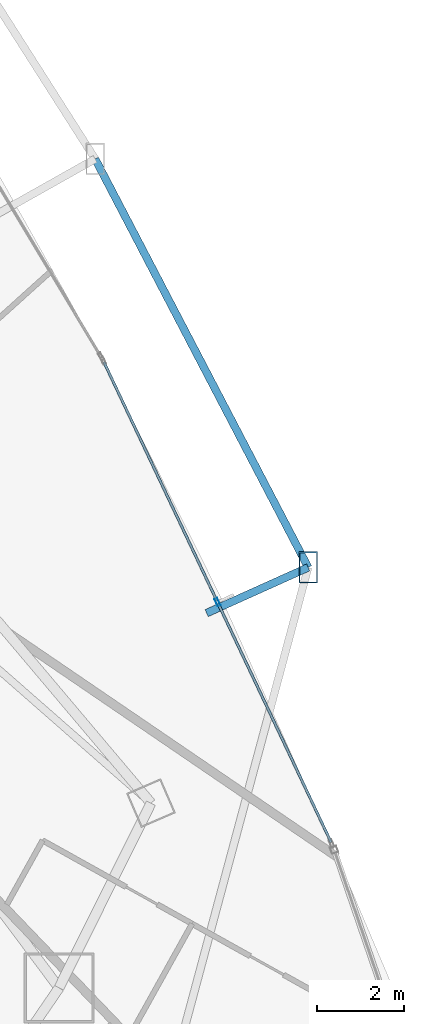
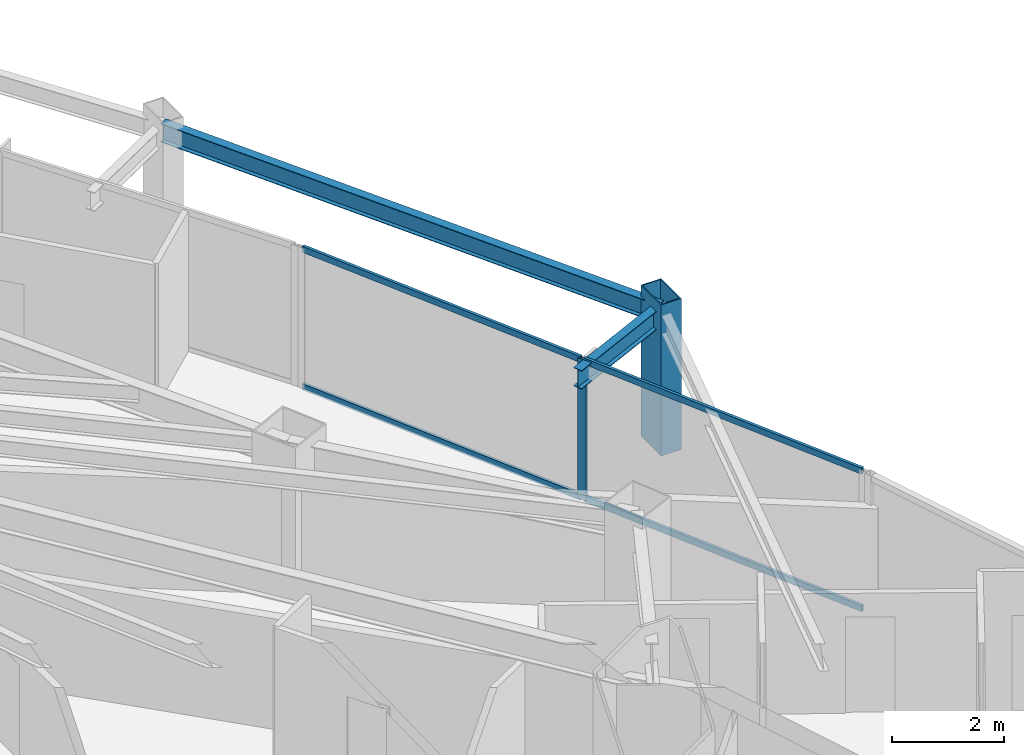
# One storey, part 19 of 34: 6 members, 2 beams, 1 element without a shape of its own.
"""IFC4 building model written with IfcOpenShell, lengths in metres."""

from ifc_helpers import new_model, si_unit, direction, frame, origin, origin_2d, place, context, subcontext, project, spatial, hollow_rectangle, i_section, extrude, material, layer, layer_set, material_profile, profile_set, type_object, element, aggregate, save


model = new_model("IFC4")

# Units and contexts
model_context = context("Model", 3, precision=1e-05, world=origin(), true_north=direction((0.0, 1.0)))
body_context = subcontext(model_context, "Body", "Model", "MODEL_VIEW")
ifc_project = project(units=[si_unit("LENGTHUNIT", "METRE"), si_unit("AREAUNIT", "SQUARE_METRE"), si_unit("VOLUMEUNIT", "CUBIC_METRE"), si_unit("PLANEANGLEUNIT", "RADIAN"), si_unit("MASSUNIT", "GRAM", prefix="KILO")], contexts=[model_context])

# Site, building, storey
site_placement = place(None, origin())
site = spatial("IfcSite", under=ifc_project, at=site_placement, CompositionType="ELEMENT")
building_placement = place(site_placement, origin())
building = spatial("IfcBuilding", under=site, at=building_placement, Name="Orvanel Arch Residences", CompositionType="ELEMENT")
storey_placement = place(building_placement, frame((0.0, 0.0, 74.14990234375)))
storey = spatial("IfcBuildingStorey", under=building, at=storey_placement, Name="L20", CompositionType="ELEMENT", Elevation=74.14990234375)

# Member
ifc_material_1 = material(Name="Structural steel AS/NZS 3678 Grade 350", Category="steel")
ifc_material_profile_1 = material_profile(ifc_material_1, hollow_rectangle(XDim=0.419921875, YDim=0.719970703125, WallThickness=0.02490234375, at=origin_2d()), Name="RHS720x420x25")
ifc_profile_set_1 = profile_set([ifc_material_profile_1], Name="Structural steel AS/NZS 3678 Grade 350")
member_type_1 = type_object("IfcMemberType", Name="CH-720RHS-EXT", PredefinedType="CHORD", material=ifc_profile_set_1)
member_1_placement = place(storey_placement, frame((57.50390625, 19.97509765625, 0.0), z_axis=(0.0, 0.0, 1.0), x_axis=(1.0, 0.0, 0.0)))
element("IfcMember", 1, at=member_1_placement, inside=storey, type_object=member_type_1, Name="L20 Outer Perimeter Frame Post 09", PredefinedType="CHORD", context=body_context, shape_type="SweptSolid", body=[
    extrude(hollow_rectangle(XDim=0.419921875, YDim=0.719970703125, WallThickness=0.02490234375, at=origin_2d()), origin(), (0.0, 0.0, 1.0), 3.300048828125),
])

# Curtain wall, member
ifc_material_2 = material(Name="Bronze-anodised aluminium AA6063-T6", Category="aluminium")
ifc_layer = layer(ifc_material_2, 0.179931640625)
ifc_layer_set = layer_set([ifc_layer], Name="Bronze-anodised aluminium AA6063-T6")
curtain_wall_type = type_object("IfcCurtainWallType", Name="CW2-LOW-SYS", PredefinedType="NOTDEFINED", material=ifc_layer_set)
curtain_wall_placement = place(storey_placement, origin())
curtain_wall = element("IfcCurtainWall", 2, at=curtain_wall_placement, inside=storey, type_object=curtain_wall_type, Name="L20 CW2-LOW-SYS Unitised Curtain Wall", PredefinedType="NOTDEFINED")
ifc_material_profile_2 = material_profile(ifc_material_2, hollow_rectangle(XDim=0.070068359375, YDim=0.179931640625, WallThickness=0.00439453125, at=origin_2d()), Name="ALU180x70x4.5")
ifc_profile_set_2 = profile_set([ifc_material_profile_2], Name="Bronze-anodised aluminium AA6063-T6")
member_type_2 = type_object("IfcMemberType", Name="MUL-180x70", PredefinedType="MULLION", material=ifc_profile_set_2)
member_2_placement = place(storey_placement, frame((55.428466796875, 19.178955078125, 0.0), z_axis=(0.0, 0.0, 1.0), x_axis=(-0.903971140213, -0.427593472426, 0.0)))
member_2 = element("IfcMember", 3, at=member_2_placement, type_object=member_type_2, Name="CW-S2 mullion 2", PredefinedType="MULLION", context=body_context, shape_type="SweptSolid", body=[
    extrude(hollow_rectangle(XDim=0.070068359375, YDim=0.179931640625, WallThickness=0.00439453125, at=origin_2d()), origin(), (0.0, 0.0, 1.0), 3.06005859375),
])

# Beams
ifc_material_3 = material(Name="Structural steel AS/NZS 3679.1 Grade 300 (300 MPa)", Category="steel")
ifc_material_profile_3 = material_profile(ifc_material_3, i_section(OverallWidth=0.177978515625, OverallDepth=0.406005859375, WebThickness=0.0078125, FlangeThickness=0.0126953125, at=origin_2d()), Name="410UB59.7")
ifc_profile_set_3 = profile_set([ifc_material_profile_3], Name="Structural steel AS/NZS 3679.1 Grade 300 (300 MPa)")
beam_type = type_object("IfcBeamType", Name="OB-410UB-EXT", PredefinedType="SPANDREL", material=ifc_profile_set_3)
beam_1_placement = place(storey_placement, frame((55.178955078125, 18.928955078125, 2.857177734375), z_axis=(0.911934047278, 0.41033680485, 0.0), x_axis=(-0.41033680485, 0.911934047278, 0.0)))
element("IfcBeam", 4, at=beam_1_placement, inside=storey, type_object=beam_type, Name="L20 Outer Frame Radial Tie Beam 09", PredefinedType="SPANDREL", context=body_context, shape_type="SweptSolid", body=[
    extrude(i_section(OverallWidth=0.177978515625, OverallDepth=0.406005859375, WebThickness=0.0078125, FlangeThickness=0.0126953125, at=origin_2d()), origin(), (0.0, 0.0, 1.0), 2.549560546875),
])
beam_2_placement = place(storey_placement, frame((57.50390625, 19.97509765625, 2.857177734375), z_axis=(-0.462401419994, 0.886670698054, 0.0), x_axis=(-0.886670698054, -0.462401419994, 0.0)))
element("IfcBeam", 5, at=beam_2_placement, inside=storey, type_object=beam_type, Name="L20 Outer Perimeter Floor Ring Beam 09", PredefinedType="SPANDREL", context=body_context, shape_type="SweptSolid", body=[
    extrude(i_section(OverallWidth=0.177978515625, OverallDepth=0.406005859375, WebThickness=0.0078125, FlangeThickness=0.0126953125, at=origin_2d()), origin(), (0.0, 0.0, 1.0), 10.544921875),
])

# Member
ifc_material_profile_4 = material_profile(ifc_material_2, hollow_rectangle(XDim=0.06005859375, YDim=0.135009765625, WallThickness=0.00390625, at=origin_2d()), Name="ALU135x60x4")
ifc_profile_set_4 = profile_set([ifc_material_profile_4], Name="Bronze-anodised aluminium AA6063-T6")
member_type_3 = type_object("IfcMemberType", Name="TRN-135x60", PredefinedType="USERDEFINED", material=ifc_profile_set_4)
member_3_placement = place(storey_placement, frame((58.028076171875, 13.683349609375, 0.030029296875), z_axis=(-0.427607089429, 0.903964699018, 0.0), x_axis=(-0.903964699018, -0.427607089429, 0.0)))
member_3 = element("IfcMember", 6, at=member_3_placement, type_object=member_type_3, Name="CW-S2 transom 1.1", ObjectType="TRANSOM", PredefinedType="USERDEFINED", context=body_context, shape_type="SweptSolid", body=[
    extrude(hollow_rectangle(XDim=0.06005859375, YDim=0.135009765625, WallThickness=0.00390625, at=origin_2d()), origin(), (0.0, 0.0, 1.0), 6.044677734375),
])

member_4_placement = place(storey_placement, frame((58.028076171875, 13.683349609375, 3.030029296875), z_axis=(-0.427607089429, 0.903964699018, 0.0), x_axis=(-0.903964699018, -0.427607089429, 0.0)))
member_4 = element("IfcMember", 7, at=member_4_placement, type_object=member_type_3, Name="CW-S2 transom 1.2", ObjectType="TRANSOM", PredefinedType="USERDEFINED", context=body_context, shape_type="SweptSolid", body=[
    extrude(hollow_rectangle(XDim=0.06005859375, YDim=0.135009765625, WallThickness=0.00390625, at=origin_2d()), origin(), (0.0, 0.0, 1.0), 6.044677734375),
])

member_5_placement = place(storey_placement, frame((55.41357421875, 19.210693359375, 0.030029296875), z_axis=(-0.427607089429, 0.903964699018, 0.0), x_axis=(-0.903964699018, -0.427607089429, 0.0)))
member_5 = element("IfcMember", 8, at=member_5_placement, type_object=member_type_3, Name="CW-S2 transom 2.1", ObjectType="TRANSOM", PredefinedType="USERDEFINED", context=body_context, shape_type="SweptSolid", body=[
    extrude(hollow_rectangle(XDim=0.06005859375, YDim=0.135009765625, WallThickness=0.00390625, at=origin_2d()), origin(), (0.0, 0.0, 1.0), 6.044677734375),
])

member_6_placement = place(storey_placement, frame((55.41357421875, 19.210693359375, 3.030029296875), z_axis=(-0.427607089429, 0.903964699018, 0.0), x_axis=(-0.903964699018, -0.427607089429, 0.0)))
member_6 = element("IfcMember", 9, at=member_6_placement, type_object=member_type_3, Name="CW-S2 transom 2.2", ObjectType="TRANSOM", PredefinedType="USERDEFINED", context=body_context, shape_type="SweptSolid", body=[
    extrude(hollow_rectangle(XDim=0.06005859375, YDim=0.135009765625, WallThickness=0.00390625, at=origin_2d()), origin(), (0.0, 0.0, 1.0), 6.044677734375),
])

aggregate(curtain_wall, [member_2, member_3, member_4, member_5, member_6])

save(model, "model.ifc")
